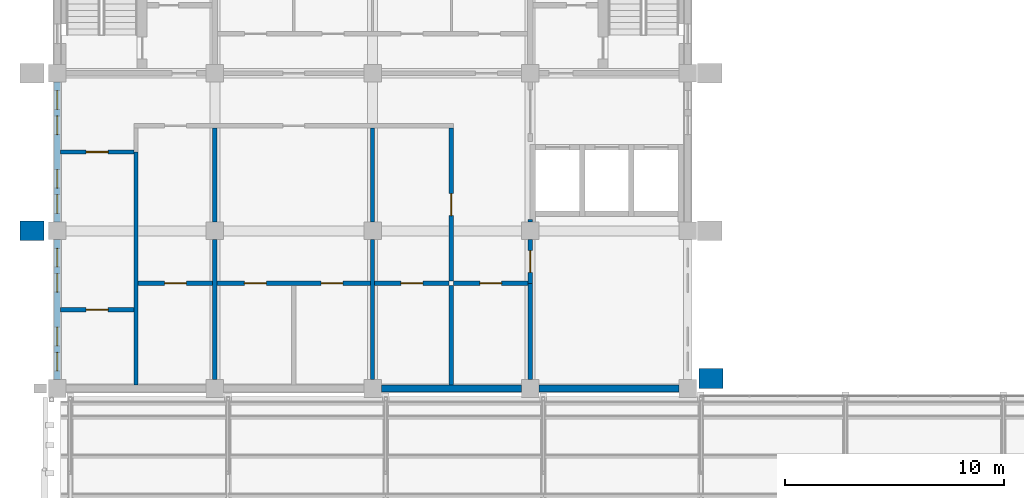
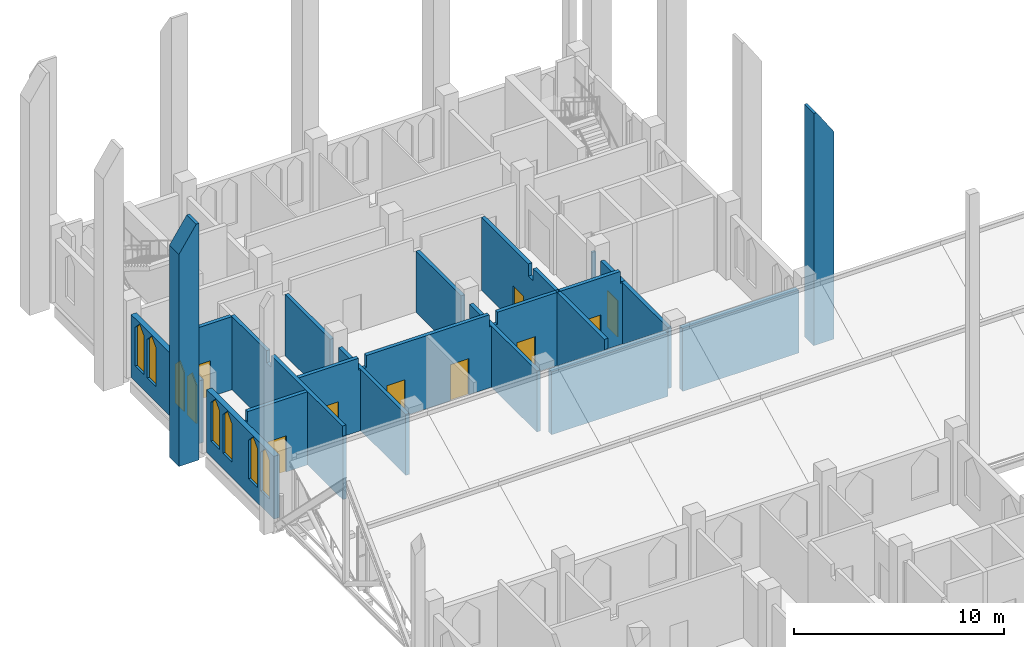
# One storey, part 21 of 29: 22 walls, 9 doors, 8 windows, 17 openings.
"""IFC4 building model written with IfcOpenShell, lengths in metres."""

from ifc_helpers import new_model, si_unit, direction, frame, frame_2d, origin, place, context, subcontext, project, spatial, polyline, rectangle, outline, extrude, material, layer, layer_set, type_object, element, fill, save


model = new_model("IFC4")

# Units and contexts
model_context = context("Model", 3, precision=1e-05, world=origin(), true_north=direction((0.0, 1.0)))
body_context = subcontext(model_context, "Body", "Model", "MODEL_VIEW")
ifc_project = project(units=[si_unit("LENGTHUNIT", "METRE"), si_unit("AREAUNIT", "SQUARE_METRE"), si_unit("VOLUMEUNIT", "CUBIC_METRE"), si_unit("PLANEANGLEUNIT", "RADIAN"), si_unit("MASSUNIT", "GRAM", prefix="KILO")], contexts=[model_context])

# Site, building, storey
site_placement = place(None, origin())
site = spatial("IfcSite", under=ifc_project, at=site_placement, CompositionType="ELEMENT")
building_placement = place(site_placement, origin())
building = spatial("IfcBuilding", under=site, at=building_placement, Name="Silangan Lancet Faculty of Sciences", CompositionType="ELEMENT")
storey_placement = place(building_placement, frame((0.0, 0.0, 40.800048828125)))
storey = spatial("IfcBuildingStorey", under=building, at=storey_placement, Name="L08", CompositionType="ELEMENT", Elevation=40.800048828125)

# Wall, openings, windows
ifc_material_1 = material(Name="Concrete C40/50 precast", Category="concrete")
ifc_layer_1 = layer(ifc_material_1, 0.300048828125)
ifc_layer_set_1 = layer_set([ifc_layer_1], Name="Concrete C40/50 precast")
wall_type_1 = type_object("IfcWallType", Name="EW1 Precast cladding wall", PredefinedType="STANDARD", material=ifc_layer_set_1)
wall_1_placement = place(storey_placement, frame((0.0, 36.39990234375, 0.0), z_axis=(0.0, 0.0, 1.0), x_axis=(0.0, 1.0, 0.0)))
wall_1 = element("IfcWall", 1, at=wall_1_placement, inside=storey, type_object=wall_type_1, Name="EW-L08-W-NT-00", PredefinedType="STANDARD", context=body_context, shape_type="SweptSolid", body=[
    extrude(rectangle(XDim=6.400146484375, YDim=0.300048828125, at=frame_2d((3.2001953125, 0.0))), origin(), (0.0, 0.0, 1.0), 3.64990234375),
])
opening_1_placement = place(wall_1_placement, frame((0.39990234375, 0.0, 0.89990234375)))
opening_1 = element("IfcOpeningElement", 2, at=opening_1_placement, cuts=wall_1, Name="Opening W21", PredefinedType="OPENING", context=body_context, shape_type="SweptSolid", body=[
    extrude(outline(polyline([(0.0, 0.0), (0.85009765625, 0.0), (0.85009765625, 2.25), (0.425048828125, 2.699951171875), (0.0, 2.25), (0.0, 0.0)])), frame((0.0, 0.159912109375, 0.0), z_axis=(0.0, -1.0, 0.0), x_axis=(1.0, 0.0, 0.0)), (0.0, 0.0, 1.0), 0.320068359375),
])
opening_2_placement = place(wall_1_placement, frame((1.550048828125, 0.0, 0.89990234375)))
opening_2 = element("IfcOpeningElement", 3, at=opening_2_placement, cuts=wall_1, Name="Opening W21", PredefinedType="OPENING", context=body_context, shape_type="SweptSolid", body=[
    extrude(outline(polyline([(0.0, 0.0), (0.85009765625, 0.0), (0.85009765625, 2.25), (0.425048828125, 2.699951171875), (0.0, 2.25), (0.0, 0.0)])), frame((0.0, 0.159912109375, 0.0), z_axis=(0.0, -1.0, 0.0), x_axis=(1.0, 0.0, 0.0)), (0.0, 0.0, 1.0), 0.320068359375),
])
opening_3_placement = place(wall_1_placement, frame((4.0, 0.0, 0.89990234375)))
opening_3 = element("IfcOpeningElement", 4, at=opening_3_placement, cuts=wall_1, Name="Opening W21", PredefinedType="OPENING", context=body_context, shape_type="SweptSolid", body=[
    extrude(outline(polyline([(0.0, 0.0), (0.85009765625, 0.0), (0.85009765625, 2.25), (0.425048828125, 2.699951171875), (0.0, 2.25), (0.0, 0.0)])), frame((0.0, 0.159912109375, 0.0), z_axis=(0.0, -1.0, 0.0), x_axis=(1.0, 0.0, 0.0)), (0.0, 0.0, 1.0), 0.320068359375),
])
opening_4_placement = place(wall_1_placement, frame((5.14990234375, 0.0, 0.89990234375)))
opening_4 = element("IfcOpeningElement", 5, at=opening_4_placement, cuts=wall_1, Name="Opening W21", PredefinedType="OPENING", context=body_context, shape_type="SweptSolid", body=[
    extrude(outline(polyline([(0.0, 0.0), (0.85009765625, 0.0), (0.85009765625, 2.25), (0.425048828125, 2.699951171875), (0.0, 2.25), (0.0, 0.0)])), frame((0.0, 0.159912109375, 0.0), z_axis=(0.0, -1.0, 0.0), x_axis=(1.0, 0.0, 0.0)), (0.0, 0.0, 1.0), 0.320068359375),
])
ifc_material_2 = material(Name="Aluminium frame, laminated double glazing", Category="aluminium")
window_type = type_object("IfcWindowType", Name="W21 Lancet window 850 x 2700", PartitioningType="SINGLE_PANEL", PredefinedType="WINDOW", material=ifc_material_2)
window_1_placement = place(opening_1_placement, origin())
window_1 = element("IfcWindow", 6, at=window_1_placement, inside=storey, type_object=window_type, Name="WIN-L08-W-NT-00a1", OverallHeight=2.699951171875, OverallWidth=0.85009765625, PartitioningType="SINGLE_PANEL", PredefinedType="WINDOW", context=body_context, shape_type="SweptSolid", body=[
    extrude(outline(polyline([(0.0, 0.0), (0.85009765625, 0.0), (0.85009765625, 2.25), (0.425048828125, 2.699951171875), (0.0, 2.25), (0.0, 0.0)])), frame((0.0, 0.030029296875, 0.0), z_axis=(0.0, -1.0, 0.0), x_axis=(1.0, 0.0, 0.0)), (0.0, 0.0, 1.0), 0.06005859375),
])
fill(opening_1, window_1)
window_2_placement = place(opening_2_placement, origin())
window_2 = element("IfcWindow", 7, at=window_2_placement, inside=storey, type_object=window_type, Name="WIN-L08-W-NT-00a2", OverallHeight=2.699951171875, OverallWidth=0.85009765625, PartitioningType="SINGLE_PANEL", PredefinedType="WINDOW", context=body_context, shape_type="SweptSolid", body=[
    extrude(outline(polyline([(0.0, 0.0), (0.85009765625, 0.0), (0.85009765625, 2.25), (0.425048828125, 2.699951171875), (0.0, 2.25), (0.0, 0.0)])), frame((0.0, 0.030029296875, 0.0), z_axis=(0.0, -1.0, 0.0), x_axis=(1.0, 0.0, 0.0)), (0.0, 0.0, 1.0), 0.06005859375),
])
fill(opening_2, window_2)
window_3_placement = place(opening_3_placement, origin())
window_3 = element("IfcWindow", 8, at=window_3_placement, inside=storey, type_object=window_type, Name="WIN-L08-W-NT-00b1", OverallHeight=2.699951171875, OverallWidth=0.85009765625, PartitioningType="SINGLE_PANEL", PredefinedType="WINDOW", context=body_context, shape_type="SweptSolid", body=[
    extrude(outline(polyline([(0.0, 0.0), (0.85009765625, 0.0), (0.85009765625, 2.25), (0.425048828125, 2.699951171875), (0.0, 2.25), (0.0, 0.0)])), frame((0.0, 0.030029296875, 0.0), z_axis=(0.0, -1.0, 0.0), x_axis=(1.0, 0.0, 0.0)), (0.0, 0.0, 1.0), 0.06005859375),
])
fill(opening_3, window_3)
window_4_placement = place(opening_4_placement, origin())
window_4 = element("IfcWindow", 9, at=window_4_placement, inside=storey, type_object=window_type, Name="WIN-L08-W-NT-00b2", OverallHeight=2.699951171875, OverallWidth=0.85009765625, PartitioningType="SINGLE_PANEL", PredefinedType="WINDOW", context=body_context, shape_type="SweptSolid", body=[
    extrude(outline(polyline([(0.0, 0.0), (0.85009765625, 0.0), (0.85009765625, 2.25), (0.425048828125, 2.699951171875), (0.0, 2.25), (0.0, 0.0)])), frame((0.0, 0.030029296875, 0.0), z_axis=(0.0, -1.0, 0.0), x_axis=(1.0, 0.0, 0.0)), (0.0, 0.0, 1.0), 0.06005859375),
])
fill(opening_4, window_4)

wall_2_placement = place(storey_placement, frame((0.0, 43.60009765625, 0.0), z_axis=(0.0, 0.0, 1.0), x_axis=(0.0, 1.0, 0.0)))
wall_2 = element("IfcWall", 10, at=wall_2_placement, inside=storey, type_object=wall_type_1, Name="EW-L08-W-NT-01", PredefinedType="STANDARD", context=body_context, shape_type="SweptSolid", body=[
    extrude(rectangle(XDim=6.39990234375, YDim=0.300048828125, at=frame_2d((3.199951171875, 0.0))), origin(), (0.0, 0.0, 1.0), 3.64990234375),
])
opening_5_placement = place(wall_2_placement, frame((0.39990234375, 0.0, 0.89990234375)))
opening_5 = element("IfcOpeningElement", 11, at=opening_5_placement, cuts=wall_2, Name="Opening W21", PredefinedType="OPENING", context=body_context, shape_type="SweptSolid", body=[
    extrude(outline(polyline([(0.0, 0.0), (0.85009765625, 0.0), (0.85009765625, 2.25), (0.425048828125, 2.699951171875), (0.0, 2.25), (0.0, 0.0)])), frame((0.0, 0.159912109375, 0.0), z_axis=(0.0, -1.0, 0.0), x_axis=(1.0, 0.0, 0.0)), (0.0, 0.0, 1.0), 0.320068359375),
])
opening_6_placement = place(wall_2_placement, frame((1.550048828125, 0.0, 0.89990234375)))
opening_6 = element("IfcOpeningElement", 12, at=opening_6_placement, cuts=wall_2, Name="Opening W21", PredefinedType="OPENING", context=body_context, shape_type="SweptSolid", body=[
    extrude(outline(polyline([(0.0, 0.0), (0.85009765625, 0.0), (0.85009765625, 2.25), (0.425048828125, 2.699951171875), (0.0, 2.25), (0.0, 0.0)])), frame((0.0, 0.159912109375, 0.0), z_axis=(0.0, -1.0, 0.0), x_axis=(1.0, 0.0, 0.0)), (0.0, 0.0, 1.0), 0.320068359375),
])
opening_7_placement = place(wall_2_placement, frame((4.0, 0.0, 0.89990234375)))
opening_7 = element("IfcOpeningElement", 13, at=opening_7_placement, cuts=wall_2, Name="Opening W21", PredefinedType="OPENING", context=body_context, shape_type="SweptSolid", body=[
    extrude(outline(polyline([(0.0, 0.0), (0.85009765625, 0.0), (0.85009765625, 2.25), (0.425048828125, 2.699951171875), (0.0, 2.25), (0.0, 0.0)])), frame((0.0, 0.159912109375, 0.0), z_axis=(0.0, -1.0, 0.0), x_axis=(1.0, 0.0, 0.0)), (0.0, 0.0, 1.0), 0.320068359375),
])
opening_8_placement = place(wall_2_placement, frame((5.14990234375, 0.0, 0.89990234375)))
opening_8 = element("IfcOpeningElement", 14, at=opening_8_placement, cuts=wall_2, Name="Opening W21", PredefinedType="OPENING", context=body_context, shape_type="SweptSolid", body=[
    extrude(outline(polyline([(0.0, 0.0), (0.85009765625, 0.0), (0.85009765625, 2.25), (0.425048828125, 2.699951171875), (0.0, 2.25), (0.0, 0.0)])), frame((0.0, 0.159912109375, 0.0), z_axis=(0.0, -1.0, 0.0), x_axis=(1.0, 0.0, 0.0)), (0.0, 0.0, 1.0), 0.320068359375),
])
window_5_placement = place(opening_5_placement, origin())
window_5 = element("IfcWindow", 15, at=window_5_placement, inside=storey, type_object=window_type, Name="WIN-L08-W-NT-01a1", OverallHeight=2.699951171875, OverallWidth=0.85009765625, PartitioningType="SINGLE_PANEL", PredefinedType="WINDOW", context=body_context, shape_type="SweptSolid", body=[
    extrude(outline(polyline([(0.0, 0.0), (0.85009765625, 0.0), (0.85009765625, 2.25), (0.425048828125, 2.699951171875), (0.0, 2.25), (0.0, 0.0)])), frame((0.0, 0.030029296875, 0.0), z_axis=(0.0, -1.0, 0.0), x_axis=(1.0, 0.0, 0.0)), (0.0, 0.0, 1.0), 0.06005859375),
])
fill(opening_5, window_5)
window_6_placement = place(opening_6_placement, origin())
window_6 = element("IfcWindow", 16, at=window_6_placement, inside=storey, type_object=window_type, Name="WIN-L08-W-NT-01a2", OverallHeight=2.699951171875, OverallWidth=0.85009765625, PartitioningType="SINGLE_PANEL", PredefinedType="WINDOW", context=body_context, shape_type="SweptSolid", body=[
    extrude(outline(polyline([(0.0, 0.0), (0.85009765625, 0.0), (0.85009765625, 2.25), (0.425048828125, 2.699951171875), (0.0, 2.25), (0.0, 0.0)])), frame((0.0, 0.030029296875, 0.0), z_axis=(0.0, -1.0, 0.0), x_axis=(1.0, 0.0, 0.0)), (0.0, 0.0, 1.0), 0.06005859375),
])
fill(opening_6, window_6)
window_7_placement = place(opening_7_placement, origin())
window_7 = element("IfcWindow", 17, at=window_7_placement, inside=storey, type_object=window_type, Name="WIN-L08-W-NT-01b1", OverallHeight=2.699951171875, OverallWidth=0.85009765625, PartitioningType="SINGLE_PANEL", PredefinedType="WINDOW", context=body_context, shape_type="SweptSolid", body=[
    extrude(outline(polyline([(0.0, 0.0), (0.85009765625, 0.0), (0.85009765625, 2.25), (0.425048828125, 2.699951171875), (0.0, 2.25), (0.0, 0.0)])), frame((0.0, 0.030029296875, 0.0), z_axis=(0.0, -1.0, 0.0), x_axis=(1.0, 0.0, 0.0)), (0.0, 0.0, 1.0), 0.06005859375),
])
fill(opening_7, window_7)
window_8_placement = place(opening_8_placement, origin())
window_8 = element("IfcWindow", 18, at=window_8_placement, inside=storey, type_object=window_type, Name="WIN-L08-W-NT-01b2", OverallHeight=2.699951171875, OverallWidth=0.85009765625, PartitioningType="SINGLE_PANEL", PredefinedType="WINDOW", context=body_context, shape_type="SweptSolid", body=[
    extrude(outline(polyline([(0.0, 0.0), (0.85009765625, 0.0), (0.85009765625, 2.25), (0.425048828125, 2.699951171875), (0.0, 2.25), (0.0, 0.0)])), frame((0.0, 0.030029296875, 0.0), z_axis=(0.0, -1.0, 0.0), x_axis=(1.0, 0.0, 0.0)), (0.0, 0.0, 1.0), 0.06005859375),
])
fill(opening_8, window_8)

# Walls
for number, where, z_axis, x_axis, name in (
    (19, (14.800048828125, 36.0, 0.0), (0.0, 0.0, 1.0), (1.0, 0.0, 0.0), "EW-L08-S-NT-02"),
    (20, (22.0, 36.0, 0.0), (0.0, 0.0, 1.0), (1.0, 0.0, 0.0), "EW-L08-S-NT-03"),
):
    element("IfcWall", number, at=place(storey_placement, frame(where, z_axis=z_axis, x_axis=x_axis)), inside=storey, type_object=wall_type_1, Name=name, PredefinedType="STANDARD", context=body_context, shape_type="SweptSolid", body=[
        extrude(rectangle(XDim=6.39990234375, YDim=0.300048828125, at=frame_2d((3.199951171875, 0.0))), origin(), (0.0, 0.0, 1.0), 3.64990234375),
    ])
ifc_material_3 = material(Name="Concrete C40/50 precast", Category="concrete")
ifc_layer_2 = layer(ifc_material_3, 0.89990234375)
ifc_layer_set_2 = layer_set([ifc_layer_2], Name="Concrete C40/50 precast")
wall_type_2 = type_object("IfcWallType", Name="FN27 Buttress Fin column line stage 3 13750", PredefinedType="POLYGONAL", material=ifc_layer_set_2)
wall_3_placement = place(storey_placement, frame((-0.60009765625, 43.199951171875, -0.25), z_axis=(0.0, 0.0, 1.0), x_axis=(-1.0, 0.0, 0.0)))
element("IfcWall", 21, at=wall_3_placement, inside=storey, type_object=wall_type_2, Name="FINC-W-NT-01-S3", PredefinedType="POLYGONAL", context=body_context, shape_type="SweptSolid", body=[
    extrude(outline(polyline([(1.10009765625, 0.0), (1.10009765625, 12.324951171875), (0.14990234375, 13.75), (0.0, 13.75), (0.0, 0.0), (1.10009765625, 0.0)])), frame((0.0, 0.449951171875, 0.0), z_axis=(0.0, -1.0, 0.0), x_axis=(1.0, 0.0, 0.0)), (0.0, 0.0, 1.0), 0.89990234375),
])
ifc_material_4 = material(Name="Concrete C40/50 precast", Category="concrete")
ifc_layer_3 = layer(ifc_material_4, 0.89990234375)
ifc_layer_set_3 = layer_set([ifc_layer_3], Name="Concrete C40/50 precast")
wall_type_3 = type_object("IfcWallType", Name="FN45 Buttress Fin column line stage 3 13500", PredefinedType="POLYGONAL", material=ifc_layer_set_3)
wall_4_placement = place(storey_placement, frame((29.300048828125, 36.4599609375, 0.0), z_axis=(0.0, 0.0, 1.0), x_axis=(1.0, 0.0, 0.0)))
element("IfcWall", 22, at=wall_4_placement, inside=storey, type_object=wall_type_3, Name="FINC-E-NT-01", PredefinedType="POLYGONAL", context=body_context, shape_type="SweptSolid", body=[
    extrude(outline(polyline([(1.10009765625, 0.0), (1.10009765625, 12.074951171875), (0.14990234375, 13.5), (0.0, 13.5), (0.0, 0.0), (1.10009765625, 0.0)])), frame((0.0, 0.449951171875, 0.0), z_axis=(0.0, -1.0, 0.0), x_axis=(1.0, 0.0, 0.0)), (0.0, 0.0, 1.0), 0.89990234375),
])

# Wall, opening, door
ifc_material_5 = material(Name="Hollow block masonry fm 7 MPa", Category="masonry")
ifc_layer_4 = layer(ifc_material_5, 0.199951171875)
ifc_layer_set_4 = layer_set([ifc_layer_4], Name="Hollow block masonry fm 7 MPa")
wall_type_4 = type_object("IfcWallType", Name="Interior wall PW1 Corridor wall CHB 200", PredefinedType="PARTITIONING", material=ifc_layer_set_4)
wall_5_placement = place(storey_placement, frame((18.10009765625, 40.800048828125, 0.0), z_axis=(0.0, 0.0, 1.0), x_axis=(1.0, 0.0, 0.0)))
wall_5 = element("IfcWall", 23, at=wall_5_placement, inside=storey, type_object=wall_type_4, Name="Corridor wall CHB 200", PredefinedType="PARTITIONING", context=body_context, shape_type="SweptSolid", body=[
    extrude(outline(polyline([(0.0, 0.0), (3.39990234375, 0.0), (3.39990234375, 3.550048828125), (3.27490234375, 3.550048828125), (3.27490234375, 4.25), (0.0, 4.25), (0.0, 0.0)])), frame((0.0, 0.10009765625, 0.0), z_axis=(0.0, -1.0, 0.0), x_axis=(1.0, 0.0, 0.0)), (0.0, 0.0, 1.0), 0.199951171875),
])
opening_9_placement = place(wall_5_placement, frame((1.199951171875, 0.0, 0.0)))
opening_9 = element("IfcOpeningElement", 24, at=opening_9_placement, cuts=wall_5, Name="Opening L08-022", PredefinedType="OPENING", context=body_context, shape_type="SweptSolid", body=[
    extrude(rectangle(XDim=1.0, YDim=2.10009765625, at=frame_2d((0.5, 1.050048828125))), frame((0.0, 0.10986328125, 0.0), z_axis=(0.0, -1.0, 0.0), x_axis=(1.0, 0.0, 0.0)), (0.0, 0.0, 1.0), 0.219970703125),
])
ifc_material_6 = material(Name="Steel fire door set", Category="steel")
door_type = type_object("IfcDoorType", Name="Door D1 Single leaf fire door 1000 x 2100", OperationType="SINGLE_SWING_LEFT", PredefinedType="DOOR", material=ifc_material_6)
door_1_placement = place(opening_9_placement, frame((1.0, 0.0, 0.0), z_axis=(0.0, 0.0, 1.0), x_axis=(-1.0, 0.0, 0.0)))
door_1 = element("IfcDoor", 25, at=door_1_placement, inside=storey, type_object=door_type, Name="Single leaf fire door 1000 x 2100", OperationType="SINGLE_SWING_RIGHT", OverallHeight=2.10009765625, OverallWidth=1.0, PredefinedType="DOOR", context=body_context, shape_type="SweptSolid", body=[
    extrude(rectangle(XDim=1.0, YDim=2.10009765625, at=frame_2d((0.5, 1.050048828125))), frame((0.0, 0.025146484375, 0.0), z_axis=(0.0, -1.0, 0.0), x_axis=(1.0, 0.0, 0.0)), (0.0, 0.0, 1.0), 0.050048828125),
])
fill(opening_9, door_1)

wall_6_placement = place(storey_placement, frame((0.14990234375, 46.800048828125, 0.0), z_axis=(0.0, 0.0, 1.0), x_axis=(1.0, 0.0, 0.0)))
wall_6 = element("IfcWall", 26, at=wall_6_placement, inside=storey, type_object=wall_type_4, Name="Corridor wall CHB 200", PredefinedType="PARTITIONING", context=body_context, shape_type="SweptSolid", body=[
    extrude(outline(polyline([(0.0, 0.0), (3.35009765625, 0.0), (3.35009765625, 4.25), (0.050048828125, 4.25), (0.050048828125, 3.64990234375), (0.0, 3.64990234375), (0.0, 0.0)])), frame((0.0, 0.10009765625, 0.0), z_axis=(0.0, -1.0, 0.0), x_axis=(1.0, 0.0, 0.0)), (0.0, 0.0, 1.0), 0.199951171875),
])
opening_10_placement = place(wall_6_placement, frame((1.175048828125, 0.0, 0.0)))
opening_10 = element("IfcOpeningElement", 27, at=opening_10_placement, cuts=wall_6, Name="Opening L08-024", PredefinedType="OPENING", context=body_context, shape_type="SweptSolid", body=[
    extrude(rectangle(XDim=1.0, YDim=2.10009765625, at=frame_2d((0.5, 1.050048828125))), frame((0.0, 0.10986328125, 0.0), z_axis=(0.0, -1.0, 0.0), x_axis=(1.0, 0.0, 0.0)), (0.0, 0.0, 1.0), 0.219970703125),
])
door_2_placement = place(opening_10_placement, frame((1.0, 0.0, 0.0), z_axis=(0.0, 0.0, 1.0), x_axis=(-1.0, 0.0, 0.0)))
door_2 = element("IfcDoor", 28, at=door_2_placement, inside=storey, type_object=door_type, Name="Single leaf fire door 1000 x 2100", OperationType="SINGLE_SWING_RIGHT", OverallHeight=2.10009765625, OverallWidth=1.0, PredefinedType="DOOR", context=body_context, shape_type="SweptSolid", body=[
    extrude(rectangle(XDim=1.0, YDim=2.10009765625, at=frame_2d((0.5, 1.050048828125))), frame((0.0, 0.025146484375, 0.0), z_axis=(0.0, -1.0, 0.0), x_axis=(1.0, 0.0, 0.0)), (0.0, 0.0, 1.0), 0.050048828125),
])
fill(opening_10, door_2)

wall_7_placement = place(storey_placement, frame((18.0, 40.89990234375, 0.0), z_axis=(0.0, 0.0, 1.0), x_axis=(0.0, 1.0, 0.0)))
wall_7 = element("IfcWall", 29, at=wall_7_placement, inside=storey, type_object=wall_type_4, Name="Corridor wall CHB 200", PredefinedType="PARTITIONING", context=body_context, shape_type="SweptSolid", body=[
    extrude(outline(polyline([(0.0, 0.0), (7.0, 0.0), (7.0, 4.25), (2.525146484375, 4.25), (2.525146484375, 3.550048828125), (2.0751953125, 3.550048828125), (2.0751953125, 4.25), (0.0, 4.25), (0.0, 0.0)])), frame((0.0, 0.10009765625, 0.0), z_axis=(0.0, -1.0, 0.0), x_axis=(1.0, 0.0, 0.0)), (0.0, 0.0, 1.0), 0.199951171875),
])
opening_11_placement = place(wall_7_placement, frame((3.0, 0.0, 0.0)))
opening_11 = element("IfcOpeningElement", 30, at=opening_11_placement, cuts=wall_7, Name="Opening L08-031", PredefinedType="OPENING", context=body_context, shape_type="SweptSolid", body=[
    extrude(rectangle(XDim=1.0, YDim=2.10009765625, at=frame_2d((0.5, 1.050048828125))), frame((0.0, 0.10986328125, 0.0), z_axis=(0.0, -1.0, 0.0), x_axis=(1.0, 0.0, 0.0)), (0.0, 0.0, 1.0), 0.219970703125),
])
door_3_placement = place(opening_11_placement, origin())
door_3 = element("IfcDoor", 31, at=door_3_placement, inside=storey, type_object=door_type, Name="Single leaf fire door 1000 x 2100", OperationType="SINGLE_SWING_RIGHT", OverallHeight=2.10009765625, OverallWidth=1.0, PredefinedType="DOOR", context=body_context, shape_type="SweptSolid", body=[
    extrude(rectangle(XDim=1.0, YDim=2.10009765625, at=frame_2d((0.5, 1.050048828125))), frame((0.0, 0.02490234375, 0.0), z_axis=(0.0, -1.0, 0.0), x_axis=(1.0, 0.0, 0.0)), (0.0, 0.0, 1.0), 0.050048828125),
])
fill(opening_11, door_3)

wall_8_placement = place(storey_placement, frame((21.60009765625, 40.800048828125, 0.0), z_axis=(0.0, 0.0, 1.0), x_axis=(0.0, 1.0, 0.0)))
wall_8 = element("IfcWall", 32, at=wall_8_placement, inside=storey, type_object=wall_type_4, Name="Corridor wall CHB 200", PredefinedType="PARTITIONING", context=body_context, shape_type="SweptSolid", body=[
    extrude(rectangle(XDim=2.0, YDim=0.199951171875, at=frame_2d((1.0, 0.0))), origin(), (0.0, 0.0, 1.0), 3.550048828125),
])
opening_12_placement = place(wall_8_placement, frame((0.5, 0.0, 0.0)))
opening_12 = element("IfcOpeningElement", 33, at=opening_12_placement, cuts=wall_8, Name="Opening L08-023", PredefinedType="OPENING", context=body_context, shape_type="SweptSolid", body=[
    extrude(rectangle(XDim=1.0, YDim=2.10009765625, at=frame_2d((0.5, 1.050048828125))), frame((0.0, 0.10986328125, 0.0), z_axis=(0.0, -1.0, 0.0), x_axis=(1.0, 0.0, 0.0)), (0.0, 0.0, 1.0), 0.219970703125),
])
door_4_placement = place(opening_12_placement, frame((1.0, 0.0, 0.0), z_axis=(0.0, 0.0, 1.0), x_axis=(-1.0, 0.0, 0.0)))
door_4 = element("IfcDoor", 34, at=door_4_placement, inside=storey, type_object=door_type, Name="Single leaf fire door 1000 x 2100", OperationType="SINGLE_SWING_LEFT", OverallHeight=2.10009765625, OverallWidth=1.0, PredefinedType="DOOR", context=body_context, shape_type="SweptSolid", body=[
    extrude(rectangle(XDim=1.0, YDim=2.10009765625, at=frame_2d((0.5, 1.050048828125))), frame((0.0, 0.025146484375, 0.0), z_axis=(0.0, -1.0, 0.0), x_axis=(1.0, 0.0, 0.0)), (0.0, 0.0, 1.0), 0.050048828125),
])
fill(opening_12, door_4)

# Wall
wall_9_placement = place(storey_placement, frame((21.60009765625, 43.60009765625, 0.0), z_axis=(0.0, 0.0, 1.0), x_axis=(0.0, 1.0, 0.0)))
element("IfcWall", 35, at=wall_9_placement, inside=storey, type_object=wall_type_4, Name="Corridor wall CHB 200", PredefinedType="PARTITIONING", context=body_context, shape_type="SweptSolid", body=[
    extrude(rectangle(XDim=0.125, YDim=0.199951171875, at=frame_2d((0.0625, 0.0))), origin(), (0.0, 0.0, 1.0), 3.550048828125),
])

# Wall, opening, door
ifc_material_7 = material(Name="Hollow block masonry fm 7 MPa", Category="masonry")
ifc_layer_5 = layer(ifc_material_7, 0.199951171875)
ifc_layer_set_5 = layer_set([ifc_layer_5], Name="Hollow block masonry fm 7 MPa")
wall_type_5 = type_object("IfcWallType", Name="Interior wall PW4 Laboratory separation CHB 200", PredefinedType="PARTITIONING", material=ifc_layer_set_5)
wall_10_placement = place(storey_placement, frame((0.14990234375, 39.60009765625, 0.0), z_axis=(0.0, 0.0, 1.0), x_axis=(1.0, 0.0, 0.0)))
wall_10 = element("IfcWall", 36, at=wall_10_placement, inside=storey, type_object=wall_type_5, Name="Laboratory separation CHB 200", PredefinedType="PARTITIONING", context=body_context, shape_type="SweptSolid", body=[
    extrude(outline(polyline([(0.0, 0.0), (3.35009765625, 0.0), (3.35009765625, 4.25), (0.050048828125, 4.25), (0.050048828125, 3.64990234375), (0.0, 3.64990234375), (0.0, 0.0)])), frame((0.0, 0.10009765625, 0.0), z_axis=(0.0, -1.0, 0.0), x_axis=(1.0, 0.0, 0.0)), (0.0, 0.0, 1.0), 0.199951171875),
])
opening_13_placement = place(wall_10_placement, frame((1.175048828125, 0.0, 0.0)))
opening_13 = element("IfcOpeningElement", 37, at=opening_13_placement, cuts=wall_10, Name="Opening L08-025", PredefinedType="OPENING", context=body_context, shape_type="SweptSolid", body=[
    extrude(rectangle(XDim=1.0, YDim=2.10009765625, at=frame_2d((0.5, 1.050048828125))), frame((0.0, 0.10986328125, 0.0), z_axis=(0.0, -1.0, 0.0), x_axis=(1.0, 0.0, 0.0)), (0.0, 0.0, 1.0), 0.219970703125),
])
door_5_placement = place(opening_13_placement, frame((1.0, 0.0, 0.0), z_axis=(0.0, 0.0, 1.0), x_axis=(-1.0, 0.0, 0.0)))
door_5 = element("IfcDoor", 38, at=door_5_placement, inside=storey, type_object=door_type, Name="Single leaf fire door 1000 x 2100", OperationType="SINGLE_SWING_LEFT", OverallHeight=2.10009765625, OverallWidth=1.0, PredefinedType="DOOR", context=body_context, shape_type="SweptSolid", body=[
    extrude(rectangle(XDim=1.0, YDim=2.10009765625, at=frame_2d((0.5, 1.050048828125))), frame((0.0, 0.025146484375, 0.0), z_axis=(0.0, -1.0, 0.0), x_axis=(1.0, 0.0, 0.0)), (0.0, 0.0, 1.0), 0.050048828125),
])
fill(opening_13, door_5)

wall_11_placement = place(storey_placement, frame((3.699951171875, 40.800048828125, 0.0), z_axis=(0.0, 0.0, 1.0), x_axis=(1.0, 0.0, 0.0)))
wall_11 = element("IfcWall", 39, at=wall_11_placement, inside=storey, type_object=wall_type_5, Name="Laboratory separation CHB 200", PredefinedType="PARTITIONING", context=body_context, shape_type="SweptSolid", body=[
    extrude(outline(polyline([(0.0, 0.0), (3.400146484375, 0.0), (3.400146484375, 3.550048828125), (3.27490234375, 3.550048828125), (3.27490234375, 4.25), (0.0, 4.25), (0.0, 0.0)])), frame((0.0, 0.10009765625, 0.0), z_axis=(0.0, -1.0, 0.0), x_axis=(1.0, 0.0, 0.0)), (0.0, 0.0, 1.0), 0.199951171875),
])
opening_14_placement = place(wall_11_placement, frame((1.199951171875, 0.0, 0.0)))
opening_14 = element("IfcOpeningElement", 40, at=opening_14_placement, cuts=wall_11, Name="Opening L08-027", PredefinedType="OPENING", context=body_context, shape_type="SweptSolid", body=[
    extrude(rectangle(XDim=1.0, YDim=2.10009765625, at=frame_2d((0.5, 1.050048828125))), frame((0.0, 0.10986328125, 0.0), z_axis=(0.0, -1.0, 0.0), x_axis=(1.0, 0.0, 0.0)), (0.0, 0.0, 1.0), 0.219970703125),
])
door_6_placement = place(opening_14_placement, frame((1.0, 0.0, 0.0), z_axis=(0.0, 0.0, 1.0), x_axis=(-1.0, 0.0, 0.0)))
door_6 = element("IfcDoor", 41, at=door_6_placement, inside=storey, type_object=door_type, Name="Single leaf fire door 1000 x 2100", OperationType="SINGLE_SWING_LEFT", OverallHeight=2.10009765625, OverallWidth=1.0, PredefinedType="DOOR", context=body_context, shape_type="SweptSolid", body=[
    extrude(rectangle(XDim=1.0, YDim=2.10009765625, at=frame_2d((0.5, 1.050048828125))), frame((0.0, 0.025146484375, 0.0), z_axis=(0.0, -1.0, 0.0), x_axis=(1.0, 0.0, 0.0)), (0.0, 0.0, 1.0), 0.050048828125),
])
fill(opening_14, door_6)

# Wall, openings, doors
wall_12_placement = place(storey_placement, frame((7.300048828125, 40.800048828125, 0.0), z_axis=(0.0, 0.0, 1.0), x_axis=(1.0, 0.0, 0.0)))
wall_12 = element("IfcWall", 42, at=wall_12_placement, inside=storey, type_object=wall_type_5, Name="Laboratory separation CHB 200", PredefinedType="PARTITIONING", context=body_context, shape_type="SweptSolid", body=[
    extrude(outline(polyline([(0.0, 0.0), (7.0, 0.0), (7.0, 3.550048828125), (6.875, 3.550048828125), (6.875, 4.25), (0.125, 4.25), (0.125, 3.550048828125), (0.0, 3.550048828125), (0.0, 0.0)])), frame((0.0, 0.10009765625, 0.0), z_axis=(0.0, -1.0, 0.0), x_axis=(1.0, 0.0, 0.0)), (0.0, 0.0, 1.0), 0.199951171875),
])
opening_15_placement = place(wall_12_placement, frame((1.25, 0.0, 0.0)))
opening_15 = element("IfcOpeningElement", 43, at=opening_15_placement, cuts=wall_12, Name="Opening L08-029", PredefinedType="OPENING", context=body_context, shape_type="SweptSolid", body=[
    extrude(rectangle(XDim=1.0, YDim=2.10009765625, at=frame_2d((0.5, 1.050048828125))), frame((0.0, 0.10986328125, 0.0), z_axis=(0.0, -1.0, 0.0), x_axis=(1.0, 0.0, 0.0)), (0.0, 0.0, 1.0), 0.219970703125),
])
opening_16_placement = place(wall_12_placement, frame((4.75, 0.0, 0.0)))
opening_16 = element("IfcOpeningElement", 44, at=opening_16_placement, cuts=wall_12, Name="Opening L08-030", PredefinedType="OPENING", context=body_context, shape_type="SweptSolid", body=[
    extrude(rectangle(XDim=1.0, YDim=2.10009765625, at=frame_2d((0.5, 1.050048828125))), frame((0.0, 0.10986328125, 0.0), z_axis=(0.0, -1.0, 0.0), x_axis=(1.0, 0.0, 0.0)), (0.0, 0.0, 1.0), 0.219970703125),
])
door_7_placement = place(opening_15_placement, frame((1.0, 0.0, 0.0), z_axis=(0.0, 0.0, 1.0), x_axis=(-1.0, 0.0, 0.0)))
door_7 = element("IfcDoor", 45, at=door_7_placement, inside=storey, type_object=door_type, Name="Single leaf fire door 1000 x 2100", OperationType="SINGLE_SWING_LEFT", OverallHeight=2.10009765625, OverallWidth=1.0, PredefinedType="DOOR", context=body_context, shape_type="SweptSolid", body=[
    extrude(rectangle(XDim=1.0, YDim=2.10009765625, at=frame_2d((0.5, 1.050048828125))), frame((0.0, 0.025146484375, 0.0), z_axis=(0.0, -1.0, 0.0), x_axis=(1.0, 0.0, 0.0)), (0.0, 0.0, 1.0), 0.050048828125),
])
fill(opening_15, door_7)
door_8_placement = place(opening_16_placement, frame((1.0, 0.0, 0.0), z_axis=(0.0, 0.0, 1.0), x_axis=(-1.0, 0.0, 0.0)))
door_8 = element("IfcDoor", 46, at=door_8_placement, inside=storey, type_object=door_type, Name="Single leaf fire door 1000 x 2100", OperationType="SINGLE_SWING_RIGHT", OverallHeight=2.10009765625, OverallWidth=1.0, PredefinedType="DOOR", context=body_context, shape_type="SweptSolid", body=[
    extrude(rectangle(XDim=1.0, YDim=2.10009765625, at=frame_2d((0.5, 1.050048828125))), frame((0.0, 0.025146484375, 0.0), z_axis=(0.0, -1.0, 0.0), x_axis=(1.0, 0.0, 0.0)), (0.0, 0.0, 1.0), 0.050048828125),
])
fill(opening_16, door_8)

# Wall, opening, door
wall_13_placement = place(storey_placement, frame((14.5, 40.800048828125, 0.0), z_axis=(0.0, 0.0, 1.0), x_axis=(1.0, 0.0, 0.0)))
wall_13 = element("IfcWall", 47, at=wall_13_placement, inside=storey, type_object=wall_type_5, Name="Laboratory separation CHB 200", PredefinedType="PARTITIONING", context=body_context, shape_type="SweptSolid", body=[
    extrude(outline(polyline([(0.0, 0.0), (3.39990234375, 0.0), (3.39990234375, 4.25), (0.125, 4.25), (0.125, 3.550048828125), (0.0, 3.550048828125), (0.0, 0.0)])), frame((0.0, 0.10009765625, 0.0), z_axis=(0.0, -1.0, 0.0), x_axis=(1.0, 0.0, 0.0)), (0.0, 0.0, 1.0), 0.199951171875),
])
opening_17_placement = place(wall_13_placement, frame((1.199951171875, 0.0, 0.0)))
opening_17 = element("IfcOpeningElement", 48, at=opening_17_placement, cuts=wall_13, Name="Opening L08-032", PredefinedType="OPENING", context=body_context, shape_type="SweptSolid", body=[
    extrude(rectangle(XDim=1.0, YDim=2.10009765625, at=frame_2d((0.5, 1.050048828125))), frame((0.0, 0.10986328125, 0.0), z_axis=(0.0, -1.0, 0.0), x_axis=(1.0, 0.0, 0.0)), (0.0, 0.0, 1.0), 0.219970703125),
])
door_9_placement = place(opening_17_placement, frame((1.0, 0.0, 0.0), z_axis=(0.0, 0.0, 1.0), x_axis=(-1.0, 0.0, 0.0)))
door_9 = element("IfcDoor", 49, at=door_9_placement, inside=storey, type_object=door_type, Name="Single leaf fire door 1000 x 2100", OperationType="SINGLE_SWING_RIGHT", OverallHeight=2.10009765625, OverallWidth=1.0, PredefinedType="DOOR", context=body_context, shape_type="SweptSolid", body=[
    extrude(rectangle(XDim=1.0, YDim=2.10009765625, at=frame_2d((0.5, 1.050048828125))), frame((0.0, 0.025146484375, 0.0), z_axis=(0.0, -1.0, 0.0), x_axis=(1.0, 0.0, 0.0)), (0.0, 0.0, 1.0), 0.050048828125),
])
fill(opening_17, door_9)

# Walls
wall_14_placement = place(storey_placement, frame((3.60009765625, 36.14990234375, 0.0), z_axis=(0.0, 0.0, 1.0), x_axis=(0.0, 1.0, 0.0)))
element("IfcWall", 50, at=wall_14_placement, inside=storey, type_object=wall_type_5, Name="Laboratory separation CHB 200", PredefinedType="PARTITIONING", context=body_context, shape_type="SweptSolid", body=[
    extrude(outline(polyline([(0.0, 0.0), (10.650146484375, 0.0), (10.650146484375, 4.25), (7.275146484375, 4.25), (7.275146484375, 3.550048828125), (6.8251953125, 3.550048828125), (6.8251953125, 4.25), (0.050048828125, 4.25), (0.050048828125, 3.64990234375), (0.0, 3.64990234375), (0.0, 0.0)])), frame((0.0, 0.10009765625, 0.0), z_axis=(0.0, -1.0, 0.0), x_axis=(1.0, 0.0, 0.0)), (0.0, 0.0, 1.0), 0.199951171875),
])
wall_15_placement = place(storey_placement, frame((7.199951171875, 36.39990234375, 0.0), z_axis=(0.0, 0.0, 1.0), x_axis=(0.0, 1.0, 0.0)))
element("IfcWall", 51, at=wall_15_placement, inside=storey, type_object=wall_type_5, Name="Laboratory separation CHB 200", PredefinedType="PARTITIONING", context=body_context, shape_type="SweptSolid", body=[
    extrude(rectangle(XDim=6.400146484375, YDim=0.199951171875, at=frame_2d((3.2001953125, 0.0))), origin(), (0.0, 0.0, 1.0), 3.550048828125),
])
wall_16_placement = place(storey_placement, frame((7.199951171875, 43.60009765625, 0.0), z_axis=(0.0, 0.0, 1.0), x_axis=(0.0, 1.0, 0.0)))
element("IfcWall", 52, at=wall_16_placement, inside=storey, type_object=wall_type_5, Name="Laboratory separation CHB 200", PredefinedType="PARTITIONING", context=body_context, shape_type="SweptSolid", body=[
    extrude(rectangle(XDim=4.2998046875, YDim=0.199951171875, at=frame_2d((2.14990234375, 0.0))), origin(), (0.0, 0.0, 1.0), 3.550048828125),
])
wall_17_placement = place(storey_placement, frame((14.39990234375, 36.39990234375, 0.0), z_axis=(0.0, 0.0, 1.0), x_axis=(0.0, 1.0, 0.0)))
element("IfcWall", 53, at=wall_17_placement, inside=storey, type_object=wall_type_5, Name="Laboratory separation CHB 200", PredefinedType="PARTITIONING", context=body_context, shape_type="SweptSolid", body=[
    extrude(rectangle(XDim=6.400146484375, YDim=0.199951171875, at=frame_2d((3.2001953125, 0.0))), origin(), (0.0, 0.0, 1.0), 3.550048828125),
])
wall_18_placement = place(storey_placement, frame((14.39990234375, 43.60009765625, 0.0), z_axis=(0.0, 0.0, 1.0), x_axis=(0.0, 1.0, 0.0)))
element("IfcWall", 54, at=wall_18_placement, inside=storey, type_object=wall_type_5, Name="Laboratory separation CHB 200", PredefinedType="PARTITIONING", context=body_context, shape_type="SweptSolid", body=[
    extrude(rectangle(XDim=4.2998046875, YDim=0.199951171875, at=frame_2d((2.14990234375, 0.0))), origin(), (0.0, 0.0, 1.0), 3.550048828125),
])
wall_19_placement = place(storey_placement, frame((18.0, 36.14990234375, 0.0), z_axis=(0.0, 0.0, 1.0), x_axis=(0.0, 1.0, 0.0)))
element("IfcWall", 55, at=wall_19_placement, inside=storey, type_object=wall_type_5, Name="Laboratory separation CHB 200", PredefinedType="PARTITIONING", context=body_context, shape_type="SweptSolid", body=[
    extrude(outline(polyline([(0.0, 0.0), (4.550048828125, 0.0), (4.550048828125, 4.25), (0.050048828125, 4.25), (0.050048828125, 3.64990234375), (0.0, 3.64990234375), (0.0, 0.0)])), frame((0.0, 0.10009765625, 0.0), z_axis=(0.0, -1.0, 0.0), x_axis=(1.0, 0.0, 0.0)), (0.0, 0.0, 1.0), 0.199951171875),
])
wall_20_placement = place(storey_placement, frame((21.60009765625, 36.39990234375, 0.0), z_axis=(0.0, 0.0, 1.0), x_axis=(0.0, 1.0, 0.0)))
element("IfcWall", 56, at=wall_20_placement, inside=storey, type_object=wall_type_5, Name="Laboratory separation CHB 200", PredefinedType="PARTITIONING", context=body_context, shape_type="SweptSolid", body=[
    extrude(rectangle(XDim=4.400146484375, YDim=0.199951171875, at=frame_2d((2.2001953125, 0.0))), origin(), (0.0, 0.0, 1.0), 3.550048828125),
])

save(model, "model.ifc")
